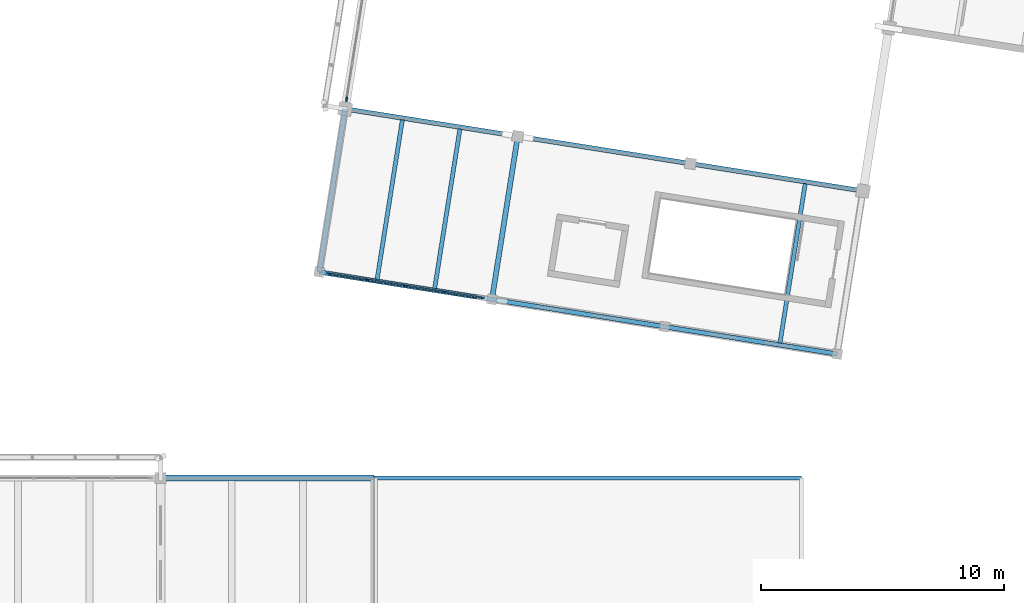
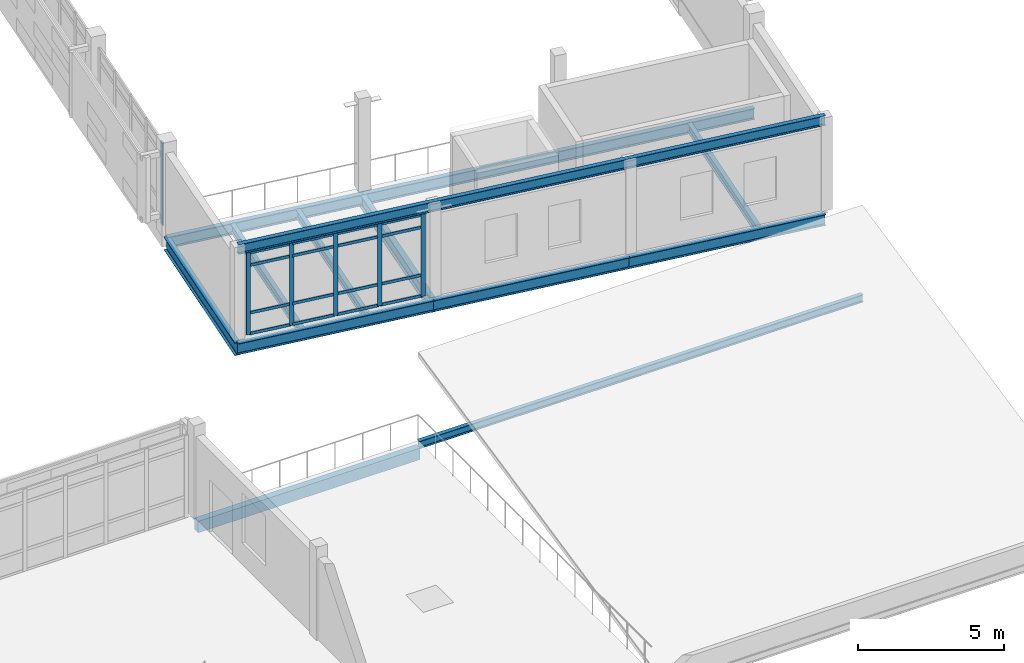
# One storey, part 34 of 117: 22 members, 14 beams, 2 elements without a shape of their own.
"""IFC4 building model written with IfcOpenShell, lengths in metres."""

from ifc_helpers import new_model, si_unit, direction, frame, origin, origin_2d, place, context, subcontext, project, spatial, rectangle, i_section, extrude, material, material_profile, profile_set, type_object, element, aggregate, save


model = new_model("IFC4")

# Units and contexts
model_context = context("Model", 3, precision=1e-05, world=origin(), true_north=direction((0.0, 1.0)))
body_context = subcontext(model_context, "Body", "Model", "MODEL_VIEW")
ifc_project = project(units=[si_unit("LENGTHUNIT", "METRE"), si_unit("AREAUNIT", "SQUARE_METRE"), si_unit("VOLUMEUNIT", "CUBIC_METRE"), si_unit("PLANEANGLEUNIT", "RADIAN"), si_unit("MASSUNIT", "GRAM", prefix="KILO")], contexts=[model_context])

# Site, building, storey
site_placement = place(None, origin())
site = spatial("IfcSite", under=ifc_project, at=site_placement, CompositionType="ELEMENT")
building_placement = place(site_placement, origin())
building = spatial("IfcBuilding", under=site, at=building_placement, Name="Cinderway Yard Community Centre", CompositionType="ELEMENT")
storey_placement = place(building_placement, frame((0.0, 0.0, 9.0)))
storey = spatial("IfcBuildingStorey", under=building, at=storey_placement, Name="L02", CompositionType="ELEMENT", Elevation=9.0)

# Curtain wall, members
ifc_material_1 = material(Name="Aluminium 6063-T6", Category="aluminium")
curtain_wall_type_1 = type_object("IfcCurtainWallType", Name="ENV-CW-TYPE-18", PredefinedType="USERDEFINED", material=ifc_material_1)
curtain_wall_1_placement = place(storey_placement, origin())
curtain_wall_1 = element("IfcCurtainWall", 1, at=curtain_wall_1_placement, inside=storey, type_object=curtain_wall_type_1, Name="Sports South Lobby Curtain Wall ENV-CW-L02-ST-0066", ObjectType="GLAZED CURTAIN WALL", PredefinedType="USERDEFINED")
ifc_material_profile_1 = material_profile(ifc_material_1, rectangle(XDim=0.06005859375, YDim=0.159912109375, at=origin_2d()), Name="Aluminium 6063-T6")
ifc_profile_set_1 = profile_set([ifc_material_profile_1], Name="Aluminium 6063-T6")
member_type_1 = type_object("IfcMemberType", Name="ENV-CW-MULL-150", PredefinedType="MULLION", material=ifc_profile_set_1)
member_1_placement = place(storey_placement, frame((117.321533203125, 31.223388671875, 0.0), z_axis=(0.0, 0.0, 1.0), x_axis=(0.156636128875, 0.987656379077, 0.0)))
member_1 = element("IfcMember", 2, at=member_1_placement, type_object=member_type_1, Name="CW-18 mullion 1", PredefinedType="MULLION", context=body_context, shape_type="SweptSolid", body=[
    extrude(rectangle(XDim=0.06005859375, YDim=0.159912109375, at=origin_2d()), origin(), (0.0, 0.0, 1.0), 3.449951171875),
])
member_2_placement = place(storey_placement, frame((118.89208984375, 30.974365234375, 0.0), z_axis=(0.0, 0.0, 1.0), x_axis=(0.156636128875, 0.987656379077, 0.0)))
member_2 = element("IfcMember", 3, at=member_2_placement, type_object=member_type_1, Name="CW-18 mullion 2", PredefinedType="MULLION", context=body_context, shape_type="SweptSolid", body=[
    extrude(rectangle(XDim=0.06005859375, YDim=0.159912109375, at=origin_2d()), origin(), (0.0, 0.0, 1.0), 3.449951171875),
])
member_3_placement = place(storey_placement, frame((120.491943359375, 30.720458984375, 0.0), z_axis=(0.0, 0.0, 1.0), x_axis=(0.156636128875, 0.987656379077, 0.0)))
member_3 = element("IfcMember", 4, at=member_3_placement, type_object=member_type_1, Name="CW-18 mullion 3", PredefinedType="MULLION", context=body_context, shape_type="SweptSolid", body=[
    extrude(rectangle(XDim=0.06005859375, YDim=0.159912109375, at=origin_2d()), origin(), (0.0, 0.0, 1.0), 3.449951171875),
])
member_4_placement = place(storey_placement, frame((122.092041015625, 30.466796875, 0.0), z_axis=(0.0, 0.0, 1.0), x_axis=(0.156636128875, 0.987656379077, 0.0)))
member_4 = element("IfcMember", 5, at=member_4_placement, type_object=member_type_1, Name="CW-18 mullion 4", PredefinedType="MULLION", context=body_context, shape_type="SweptSolid", body=[
    extrude(rectangle(XDim=0.06005859375, YDim=0.159912109375, at=origin_2d()), origin(), (0.0, 0.0, 1.0), 3.449951171875),
])
member_5_placement = place(storey_placement, frame((123.662353515625, 30.2177734375, 0.0), z_axis=(0.0, 0.0, 1.0), x_axis=(0.156636128875, 0.987656379077, 0.0)))
member_5 = element("IfcMember", 6, at=member_5_placement, type_object=member_type_1, Name="CW-18 mullion 5", PredefinedType="MULLION", context=body_context, shape_type="SweptSolid", body=[
    extrude(rectangle(XDim=0.06005859375, YDim=0.159912109375, at=origin_2d()), origin(), (0.0, 0.0, 1.0), 3.449951171875),
])

# Curtain wall, member
curtain_wall_type_2 = type_object("IfcCurtainWallType", Name="ENV-CW-TYPE-17", PredefinedType="USERDEFINED", material=ifc_material_1)
curtain_wall_2_placement = place(storey_placement, origin())
curtain_wall_2 = element("IfcCurtainWall", 7, at=curtain_wall_2_placement, inside=storey, type_object=curtain_wall_type_2, Name="Sports Hall Courtyard Curtain Wall ENV-CW-L02-HS-0060", ObjectType="GLAZED CURTAIN WALL", PredefinedType="USERDEFINED")
ifc_material_profile_2 = material_profile(ifc_material_1, rectangle(XDim=0.06494140625, YDim=0.179931640625, at=origin_2d()), Name="Aluminium 6063-T6")
ifc_profile_set_2 = profile_set([ifc_material_profile_2], Name="Aluminium 6063-T6")
member_type_2 = type_object("IfcMemberType", Name="ENV-CW-MULL-180", PredefinedType="MULLION", material=ifc_profile_set_2)
member_6_placement = place(storey_placement, frame((118.063720703125, 38.404541015625, 0.0), z_axis=(0.0, 0.0, 1.0), x_axis=(-0.987660740525, 0.156608625643, 0.0)))
member_6 = element("IfcMember", 8, at=member_6_placement, type_object=member_type_2, Name="CW-17 mullion 1", PredefinedType="MULLION", context=body_context, shape_type="SweptSolid", body=[
    extrude(rectangle(XDim=0.06494140625, YDim=0.179931640625, at=origin_2d()), origin(), (0.0, 0.0, 1.0), 3.449951171875),
])
aggregate(curtain_wall_2, [member_6])

# Member
ifc_material_profile_3 = material_profile(ifc_material_1, rectangle(XDim=0.06005859375, YDim=0.1201171875, at=origin_2d()), Name="Aluminium 6063-T6")
ifc_profile_set_3 = profile_set([ifc_material_profile_3], Name="Aluminium 6063-T6")
member_type_3 = type_object("IfcMemberType", Name="ENV-CW-TRAN-110", PredefinedType="USERDEFINED", material=ifc_profile_set_3)
member_7_placement = place(storey_placement, frame((117.351318359375, 31.218505859375, 0.030029296875), z_axis=(0.987669626151, -0.156552577679, 0.0), x_axis=(0.156552577679, 0.987669626151, 0.0)))
member_7 = element("IfcMember", 9, at=member_7_placement, type_object=member_type_3, Name="CW-18 transom 1.1", ObjectType="TRANSOM", PredefinedType="USERDEFINED", context=body_context, shape_type="SweptSolid", body=[
    extrude(rectangle(XDim=0.06005859375, YDim=0.1201171875, at=origin_2d()), origin(), (0.0, 0.0, 1.0), 1.52978515625),
])

member_8_placement = place(storey_placement, frame((117.351318359375, 31.218505859375, 0.89990234375), z_axis=(0.987669626151, -0.156552577679, 0.0), x_axis=(0.156552577679, 0.987669626151, 0.0)))
member_8 = element("IfcMember", 10, at=member_8_placement, type_object=member_type_3, Name="CW-18 transom 1.2", ObjectType="TRANSOM", PredefinedType="USERDEFINED", context=body_context, shape_type="SweptSolid", body=[
    extrude(rectangle(XDim=0.06005859375, YDim=0.1201171875, at=origin_2d()), origin(), (0.0, 0.0, 1.0), 1.52978515625),
])

member_9_placement = place(storey_placement, frame((117.351318359375, 31.218505859375, 2.89990234375), z_axis=(0.987669626151, -0.156552577679, 0.0), x_axis=(0.156552577679, 0.987669626151, 0.0)))
member_9 = element("IfcMember", 11, at=member_9_placement, type_object=member_type_3, Name="CW-18 transom 1.3", ObjectType="TRANSOM", PredefinedType="USERDEFINED", context=body_context, shape_type="SweptSolid", body=[
    extrude(rectangle(XDim=0.06005859375, YDim=0.1201171875, at=origin_2d()), origin(), (0.0, 0.0, 1.0), 1.52978515625),
])

member_10_placement = place(storey_placement, frame((117.351318359375, 31.218505859375, 3.419921875), z_axis=(0.987669626151, -0.156552577679, 0.0), x_axis=(0.156552577679, 0.987669626151, 0.0)))
member_10 = element("IfcMember", 12, at=member_10_placement, type_object=member_type_3, Name="CW-18 transom 1.4", ObjectType="TRANSOM", PredefinedType="USERDEFINED", context=body_context, shape_type="SweptSolid", body=[
    extrude(rectangle(XDim=0.06005859375, YDim=0.1201171875, at=origin_2d()), origin(), (0.0, 0.0, 1.0), 1.52978515625),
])

member_11_placement = place(storey_placement, frame((118.921630859375, 30.969482421875, 0.030029296875), z_axis=(0.987653598494, -0.156653660607, 0.0), x_axis=(0.156653660607, 0.987653598494, 0.0)))
member_11 = element("IfcMember", 13, at=member_11_placement, type_object=member_type_3, Name="CW-18 transom 2.1", ObjectType="TRANSOM", PredefinedType="USERDEFINED", context=body_context, shape_type="SweptSolid", body=[
    extrude(rectangle(XDim=0.06005859375, YDim=0.1201171875, at=origin_2d()), origin(), (0.0, 0.0, 1.0), 1.56005859375),
])

member_12_placement = place(storey_placement, frame((118.921630859375, 30.969482421875, 0.89990234375), z_axis=(0.987653598494, -0.156653660607, 0.0), x_axis=(0.156653660607, 0.987653598494, 0.0)))
member_12 = element("IfcMember", 14, at=member_12_placement, type_object=member_type_3, Name="CW-18 transom 2.2", ObjectType="TRANSOM", PredefinedType="USERDEFINED", context=body_context, shape_type="SweptSolid", body=[
    extrude(rectangle(XDim=0.06005859375, YDim=0.1201171875, at=origin_2d()), origin(), (0.0, 0.0, 1.0), 1.56005859375),
])

member_13_placement = place(storey_placement, frame((118.921630859375, 30.969482421875, 2.89990234375), z_axis=(0.987653598494, -0.156653660607, 0.0), x_axis=(0.156653660607, 0.987653598494, 0.0)))
member_13 = element("IfcMember", 15, at=member_13_placement, type_object=member_type_3, Name="CW-18 transom 2.3", ObjectType="TRANSOM", PredefinedType="USERDEFINED", context=body_context, shape_type="SweptSolid", body=[
    extrude(rectangle(XDim=0.06005859375, YDim=0.1201171875, at=origin_2d()), origin(), (0.0, 0.0, 1.0), 1.56005859375),
])

member_14_placement = place(storey_placement, frame((118.921630859375, 30.969482421875, 3.419921875), z_axis=(0.987653598494, -0.156653660607, 0.0), x_axis=(0.156653660607, 0.987653598494, 0.0)))
member_14 = element("IfcMember", 16, at=member_14_placement, type_object=member_type_3, Name="CW-18 transom 2.4", ObjectType="TRANSOM", PredefinedType="USERDEFINED", context=body_context, shape_type="SweptSolid", body=[
    extrude(rectangle(XDim=0.06005859375, YDim=0.1201171875, at=origin_2d()), origin(), (0.0, 0.0, 1.0), 1.56005859375),
])

member_15_placement = place(storey_placement, frame((120.521728515625, 30.7158203125, 0.030029296875), z_axis=(0.987649757105, -0.156677877474, 0.0), x_axis=(0.156677877474, 0.987649757105, 0.0)))
member_15 = element("IfcMember", 17, at=member_15_placement, type_object=member_type_3, Name="CW-18 transom 3.1", ObjectType="TRANSOM", PredefinedType="USERDEFINED", context=body_context, shape_type="SweptSolid", body=[
    extrude(rectangle(XDim=0.06005859375, YDim=0.1201171875, at=origin_2d()), origin(), (0.0, 0.0, 1.0), 1.559814453125),
])

member_16_placement = place(storey_placement, frame((120.521728515625, 30.7158203125, 0.89990234375), z_axis=(0.987649757105, -0.156677877474, 0.0), x_axis=(0.156677877474, 0.987649757105, 0.0)))
member_16 = element("IfcMember", 18, at=member_16_placement, type_object=member_type_3, Name="CW-18 transom 3.2", ObjectType="TRANSOM", PredefinedType="USERDEFINED", context=body_context, shape_type="SweptSolid", body=[
    extrude(rectangle(XDim=0.06005859375, YDim=0.1201171875, at=origin_2d()), origin(), (0.0, 0.0, 1.0), 1.559814453125),
])

member_17_placement = place(storey_placement, frame((120.521728515625, 30.7158203125, 2.89990234375), z_axis=(0.987649757105, -0.156677877474, 0.0), x_axis=(0.156677877474, 0.987649757105, 0.0)))
member_17 = element("IfcMember", 19, at=member_17_placement, type_object=member_type_3, Name="CW-18 transom 3.3", ObjectType="TRANSOM", PredefinedType="USERDEFINED", context=body_context, shape_type="SweptSolid", body=[
    extrude(rectangle(XDim=0.06005859375, YDim=0.1201171875, at=origin_2d()), origin(), (0.0, 0.0, 1.0), 1.559814453125),
])

member_18_placement = place(storey_placement, frame((120.521728515625, 30.7158203125, 3.419921875), z_axis=(0.987649757105, -0.156677877474, 0.0), x_axis=(0.156677877474, 0.987649757105, 0.0)))
member_18 = element("IfcMember", 20, at=member_18_placement, type_object=member_type_3, Name="CW-18 transom 3.4", ObjectType="TRANSOM", PredefinedType="USERDEFINED", context=body_context, shape_type="SweptSolid", body=[
    extrude(rectangle(XDim=0.06005859375, YDim=0.1201171875, at=origin_2d()), origin(), (0.0, 0.0, 1.0), 1.559814453125),
])

member_19_placement = place(storey_placement, frame((122.12158203125, 30.462158203125, 0.030029296875), z_axis=(0.987648857134, -0.156683550518, 0.0), x_axis=(0.156683550518, 0.987648857134, 0.0)))
member_19 = element("IfcMember", 21, at=member_19_placement, type_object=member_type_3, Name="CW-18 transom 4.1", ObjectType="TRANSOM", PredefinedType="USERDEFINED", context=body_context, shape_type="SweptSolid", body=[
    extrude(rectangle(XDim=0.06005859375, YDim=0.1201171875, at=origin_2d()), origin(), (0.0, 0.0, 1.0), 1.530029296875),
])

member_20_placement = place(storey_placement, frame((122.12158203125, 30.462158203125, 0.89990234375), z_axis=(0.987648857134, -0.156683550518, 0.0), x_axis=(0.156683550518, 0.987648857134, 0.0)))
member_20 = element("IfcMember", 22, at=member_20_placement, type_object=member_type_3, Name="CW-18 transom 4.2", ObjectType="TRANSOM", PredefinedType="USERDEFINED", context=body_context, shape_type="SweptSolid", body=[
    extrude(rectangle(XDim=0.06005859375, YDim=0.1201171875, at=origin_2d()), origin(), (0.0, 0.0, 1.0), 1.530029296875),
])

member_21_placement = place(storey_placement, frame((122.12158203125, 30.462158203125, 2.89990234375), z_axis=(0.987648857134, -0.156683550518, 0.0), x_axis=(0.156683550518, 0.987648857134, 0.0)))
member_21 = element("IfcMember", 23, at=member_21_placement, type_object=member_type_3, Name="CW-18 transom 4.3", ObjectType="TRANSOM", PredefinedType="USERDEFINED", context=body_context, shape_type="SweptSolid", body=[
    extrude(rectangle(XDim=0.06005859375, YDim=0.1201171875, at=origin_2d()), origin(), (0.0, 0.0, 1.0), 1.530029296875),
])

member_22_placement = place(storey_placement, frame((122.12158203125, 30.462158203125, 3.419921875), z_axis=(0.987648857134, -0.156683550518, 0.0), x_axis=(0.156683550518, 0.987648857134, 0.0)))
member_22 = element("IfcMember", 24, at=member_22_placement, type_object=member_type_3, Name="CW-18 transom 4.4", ObjectType="TRANSOM", PredefinedType="USERDEFINED", context=body_context, shape_type="SweptSolid", body=[
    extrude(rectangle(XDim=0.06005859375, YDim=0.1201171875, at=origin_2d()), origin(), (0.0, 0.0, 1.0), 1.530029296875),
])

aggregate(curtain_wall_1, [member_1, member_2, member_3, member_4, member_5, member_7, member_8, member_9, member_10, member_11, member_12, member_13, member_14, member_15, member_16, member_17, member_18, member_19, member_20, member_21, member_22])

# Beams
ifc_material_2 = material(Name="Concrete C40/50", Category="concrete")
ifc_material_profile_4 = material_profile(ifc_material_2, rectangle(XDim=0.260009765625, YDim=0.47998046875, at=origin_2d()), Name="Concrete C40/50")
ifc_profile_set_4 = profile_set([ifc_material_profile_4], Name="Concrete C40/50")
beam_type_1 = type_object("IfcBeamType", Name="STR-BM-RC260X480", PredefinedType="SPANDREL", material=ifc_profile_set_4)
beam_1_placement = place(storey_placement, frame((110.39990234375, 22.800048828125, -0.47998046875), z_axis=(1.0, 0.0, 0.0), x_axis=(0.0, 1.0, 0.0)))
element("IfcBeam", 25, at=beam_1_placement, inside=storey, type_object=beam_type_1, Name="Primary girder STR-BM-L02-SP01-0455", PredefinedType="SPANDREL", context=body_context, shape_type="SweptSolid", body=[
    extrude(rectangle(XDim=0.260009765625, YDim=0.47998046875, at=origin_2d()), origin(), (0.0, 0.0, 1.0), 8.800048828125),
])
ifc_material_3 = material(Name="Steel S355", Category="steel")
ifc_material_profile_5 = material_profile(ifc_material_3, i_section(OverallWidth=0.166015625, OverallDepth=0.31298828125, WebThickness=0.006591796875, FlangeThickness=0.01123046875, FilletRadius=0.010009765625, at=origin_2d()), Name="Steel S355")
ifc_profile_set_5 = profile_set([ifc_material_profile_5], Name="Steel S355")
beam_type_2 = type_object("IfcBeamType", Name="STR-BM-W310X45", PredefinedType="SPANDREL", material=ifc_profile_set_5)
beam_2_placement = place(storey_placement, frame((119.199951171875, 22.800048828125, -0.156005859375), z_axis=(1.0, 0.0, 0.0), x_axis=(0.0, 1.0, 0.0)))
element("IfcBeam", 26, at=beam_2_placement, inside=storey, type_object=beam_type_2, Name="Arcade canopy tie STR-BM-L02-SS01-1153", PredefinedType="SPANDREL", context=body_context, shape_type="SweptSolid", body=[
    extrude(i_section(OverallWidth=0.166015625, OverallDepth=0.31298828125, WebThickness=0.006591796875, FlangeThickness=0.01123046875, FilletRadius=0.010009765625, at=origin_2d()), origin(), (0.0, 0.0, 1.0), 17.60009765625),
])
ifc_material_profile_6 = material_profile(ifc_material_3, i_section(OverallWidth=0.172119140625, OverallDepth=0.35791015625, WebThickness=0.0078125, FlangeThickness=0.01318359375, FilletRadius=0.010986328125, at=origin_2d()), Name="Steel S355")
ifc_profile_set_6 = profile_set([ifc_material_profile_6], Name="Steel S355")
beam_type_3 = type_object("IfcBeamType", Name="STR-BM-W360X57", PredefinedType="JOIST", material=ifc_profile_set_6)
beam_3_placement = place(storey_placement, frame((119.319091796875, 30.985107421875, -0.4189453125), z_axis=(0.156338027688, 0.987703609945, 0.0), x_axis=(-0.987703609945, 0.156338027688, 0.0)))
element("IfcBeam", 27, at=beam_3_placement, inside=storey, type_object=beam_type_3, Name="Secondary joist STR-BM-L02-SJ03-0403", PredefinedType="JOIST", context=body_context, shape_type="SweptSolid", body=[
    extrude(i_section(OverallWidth=0.172119140625, OverallDepth=0.35791015625, WebThickness=0.0078125, FlangeThickness=0.01318359375, FilletRadius=0.010986328125, at=origin_2d()), origin(), (0.0, 0.0, 1.0), 6.644775390625),
])
beam_4_placement = place(storey_placement, frame((121.68896484375, 30.60888671875, -0.4189453125), z_axis=(0.156488847096, 0.987679725789, 0.0), x_axis=(-0.987679725789, 0.156488847096, 0.0)))
element("IfcBeam", 28, at=beam_4_placement, inside=storey, type_object=beam_type_3, Name="Secondary joist STR-BM-L02-SJ03-0404", PredefinedType="JOIST", context=body_context, shape_type="SweptSolid", body=[
    extrude(i_section(OverallWidth=0.172119140625, OverallDepth=0.35791015625, WebThickness=0.0078125, FlangeThickness=0.01318359375, FilletRadius=0.010986328125, at=origin_2d()), origin(), (0.0, 0.0, 1.0), 6.64599609375),
])
beam_5_placement = place(storey_placement, frame((135.912109375, 28.35693359375, -0.4189453125), z_axis=(0.156338027688, 0.987703609945, 0.0), x_axis=(-0.987703609945, 0.156338027688, 0.0)))
element("IfcBeam", 29, at=beam_5_placement, inside=storey, type_object=beam_type_3, Name="Secondary joist STR-BM-L02-SJ03-0405", PredefinedType="JOIST", context=body_context, shape_type="SweptSolid", body=[
    extrude(i_section(OverallWidth=0.172119140625, OverallDepth=0.35791015625, WebThickness=0.0078125, FlangeThickness=0.01318359375, FilletRadius=0.010986328125, at=origin_2d()), origin(), (0.0, 0.0, 1.0), 6.644775390625),
])
ifc_material_profile_7 = material_profile(ifc_material_3, i_section(OverallWidth=0.178955078125, OverallDepth=0.409912109375, WebThickness=0.0087890625, FlangeThickness=0.013427734375, FilletRadius=0.011962890625, at=origin_2d()), Name="Steel S355")
ifc_profile_set_7 = profile_set([ifc_material_profile_7], Name="Steel S355")
beam_type_4 = type_object("IfcBeamType", Name="STR-BM-W410X67", PredefinedType="JOIST", material=ifc_profile_set_7)
beam_6_placement = place(storey_placement, frame((116.93603515625, 31.283935546875, 3.695068359375), z_axis=(0.987688805013, -0.156431532791, 0.0), x_axis=(0.156431532791, 0.987688805013, 0.0)))
element("IfcBeam", 30, at=beam_6_placement, inside=storey, type_object=beam_type_4, Name="V2 SOUTH-BAR ring STR-BM-L02-SJ02-1029", PredefinedType="JOIST", context=body_context, shape_type="SweptSolid", body=[
    extrude(i_section(OverallWidth=0.178955078125, OverallDepth=0.409912109375, WebThickness=0.0087890625, FlangeThickness=0.013427734375, FilletRadius=0.011962890625, at=origin_2d()), origin(), (0.0, 0.0, 1.0), 21.599853515625),
])
ifc_material_profile_8 = material_profile(ifc_material_3, i_section(OverallWidth=0.19091796875, OverallDepth=0.4599609375, WebThickness=0.010009765625, FlangeThickness=0.014404296875, FilletRadius=0.012939453125, at=origin_2d()), Name="Steel S355")
ifc_profile_set_8 = profile_set([ifc_material_profile_8], Name="Steel S355")
beam_type_5 = type_object("IfcBeamType", Name="STR-BM-W460X82", PredefinedType="JOIST", material=ifc_profile_set_8)
beam_7_placement = place(storey_placement, frame((116.93603515625, 31.283935546875, -0.469970703125), z_axis=(0.987677322138, -0.156504016992, 0.0), x_axis=(0.156504016992, 0.987677322138, 0.0)))
element("IfcBeam", 31, at=beam_7_placement, inside=storey, type_object=beam_type_5, Name="Primary girder STR-BM-L02-SJ01-0394", PredefinedType="JOIST", context=body_context, shape_type="SweptSolid", body=[
    extrude(i_section(OverallWidth=0.19091796875, OverallDepth=0.4599609375, WebThickness=0.010009765625, FlangeThickness=0.014404296875, FilletRadius=0.012939453125, at=origin_2d()), origin(), (0.0, 0.0, 1.0), 7.20068359375),
])
beam_8_placement = place(storey_placement, frame((124.048095703125, 30.156982421875, -0.469970703125), z_axis=(0.987694130716, -0.156397903278, 0.0), x_axis=(0.156397903278, 0.987694130716, 0.0)))
element("IfcBeam", 32, at=beam_8_placement, inside=storey, type_object=beam_type_5, Name="Primary girder STR-BM-L02-SJ01-0395", PredefinedType="JOIST", context=body_context, shape_type="SweptSolid", body=[
    extrude(i_section(OverallWidth=0.19091796875, OverallDepth=0.4599609375, WebThickness=0.010009765625, FlangeThickness=0.014404296875, FilletRadius=0.012939453125, at=origin_2d()), origin(), (0.0, 0.0, 1.0), 7.199462890625),
])
for number, where, z_axis, x_axis, name in (
    (33, (131.158935546875, 29.031005859375, -0.469970703125), (0.987694960149, -0.156392665095, 0.0), (0.156392665095, 0.987694960149, 0.0), "Primary girder STR-BM-L02-SJ01-0396"),
    (34, (118.0, 38.0, -0.469970703125), (0.987694960149, -0.156392665095, 0.0), (0.156392665095, 0.987694960149, 0.0), "Primary girder STR-BM-L02-SJ01-0397"),
):
    element("IfcBeam", number, at=place(storey_placement, frame(where, z_axis=z_axis, x_axis=x_axis)), inside=storey, type_object=beam_type_5, Name=name, PredefinedType="JOIST", context=body_context, shape_type="SweptSolid", body=[
        extrude(i_section(OverallWidth=0.19091796875, OverallDepth=0.4599609375, WebThickness=0.010009765625, FlangeThickness=0.014404296875, FilletRadius=0.012939453125, at=origin_2d()), origin(), (0.0, 0.0, 1.0), 7.19970703125),
    ])
beam_9_placement = place(storey_placement, frame((125.111083984375, 36.8740234375, -0.469970703125), z_axis=(0.987676491652, -0.156509257997, 0.0), x_axis=(0.156509257997, 0.987676491652, 0.0)))
element("IfcBeam", 35, at=beam_9_placement, inside=storey, type_object=beam_type_5, Name="Primary girder STR-BM-L02-SJ01-0398", PredefinedType="JOIST", context=body_context, shape_type="SweptSolid", body=[
    extrude(i_section(OverallWidth=0.19091796875, OverallDepth=0.4599609375, WebThickness=0.010009765625, FlangeThickness=0.014404296875, FilletRadius=0.012939453125, at=origin_2d()), origin(), (0.0, 0.0, 1.0), 7.200439453125),
])
beam_10_placement = place(storey_placement, frame((132.222900390625, 35.7470703125, -0.469970703125), z_axis=(0.987694960149, -0.156392665095, 0.0), x_axis=(0.156392665095, 0.987694960149, 0.0)))
element("IfcBeam", 36, at=beam_10_placement, inside=storey, type_object=beam_type_5, Name="Primary girder STR-BM-L02-SJ01-0399", PredefinedType="JOIST", context=body_context, shape_type="SweptSolid", body=[
    extrude(i_section(OverallWidth=0.19091796875, OverallDepth=0.4599609375, WebThickness=0.010009765625, FlangeThickness=0.014404296875, FilletRadius=0.012939453125, at=origin_2d()), origin(), (0.0, 0.0, 1.0), 7.19970703125),
])
ifc_material_profile_9 = material_profile(ifc_material_3, i_section(OverallWidth=0.2109375, OverallDepth=0.5390625, WebThickness=0.010986328125, FlangeThickness=0.017333984375, FilletRadius=0.013916015625, at=origin_2d()), Name="Steel S355")
ifc_profile_set_9 = profile_set([ifc_material_profile_9], Name="Steel S355")
beam_type_6 = type_object("IfcBeamType", Name="STR-BM-W530X109", PredefinedType="BEAM", material=ifc_profile_set_9)
beam_11_placement = place(storey_placement, frame((116.93603515625, 31.283935546875, -0.510009765625), z_axis=(0.156469575446, 0.987682779013, 0.0), x_axis=(-0.987682779013, 0.156469575446, 0.0)))
element("IfcBeam", 37, at=beam_11_placement, inside=storey, type_object=beam_type_6, Name="Transverse girder STR-BM-L02-SB06-0400", PredefinedType="BEAM", context=body_context, shape_type="SweptSolid", body=[
    extrude(i_section(OverallWidth=0.2109375, OverallDepth=0.5390625, WebThickness=0.010986328125, FlangeThickness=0.017333984375, FilletRadius=0.013916015625, at=origin_2d()), origin(), (0.0, 0.0, 1.0), 6.7998046875),
])
beam_12_placement = place(storey_placement, frame((124.048095703125, 30.156982421875, -0.510009765625), z_axis=(0.15630729813, 0.987708473463, 0.0), x_axis=(-0.987708473463, 0.15630729813, 0.0)))
element("IfcBeam", 38, at=beam_12_placement, inside=storey, type_object=beam_type_6, Name="Transverse girder STR-BM-L02-SB06-0401", PredefinedType="BEAM", context=body_context, shape_type="SweptSolid", body=[
    extrude(i_section(OverallWidth=0.2109375, OverallDepth=0.5390625, WebThickness=0.010986328125, FlangeThickness=0.017333984375, FilletRadius=0.013916015625, at=origin_2d()), origin(), (0.0, 0.0, 1.0), 6.800537109375),
])

save(model, "model.ifc")
